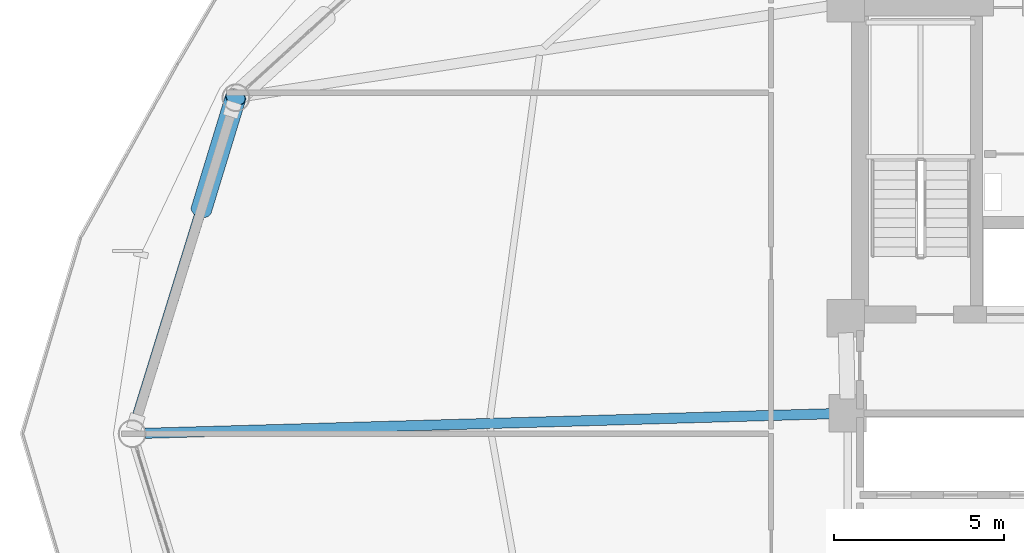
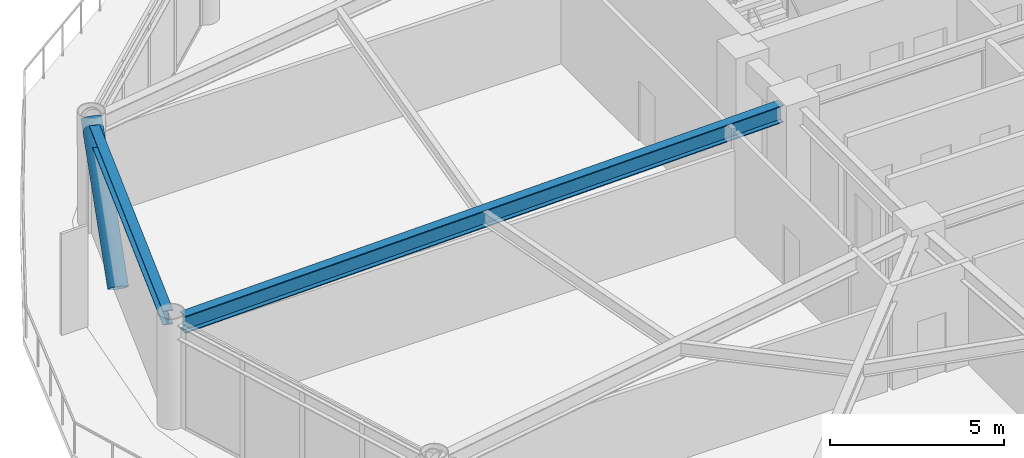
# One storey, part 8 of 23: 2 beams, 1 member.
"""IFC4 building model written with IfcOpenShell, lengths in metres."""

from ifc_helpers import new_model, si_unit, direction, frame, origin, origin_2d, place, context, subcontext, project, spatial, hollow_circle, i_section, extrude, material, material_profile, profile_set, type_object, element, save


model = new_model("IFC4")

# Units and contexts
model_context = context("Model", 3, precision=1e-05, world=origin(), true_north=direction((0.0, 1.0)))
body_context = subcontext(model_context, "Body", "Model", "MODEL_VIEW")
ifc_project = project(units=[si_unit("LENGTHUNIT", "METRE"), si_unit("AREAUNIT", "SQUARE_METRE"), si_unit("VOLUMEUNIT", "CUBIC_METRE"), si_unit("PLANEANGLEUNIT", "RADIAN"), si_unit("MASSUNIT", "GRAM", prefix="KILO")], contexts=[model_context])

# Site, building, storey
site_placement = place(None, origin())
site = spatial("IfcSite", under=ifc_project, at=site_placement, CompositionType="ELEMENT")
building_placement = place(site_placement, origin())
building = spatial("IfcBuilding", under=site, at=building_placement, Name="Varnakorn Sky Granary", CompositionType="ELEMENT")
storey_placement = place(building_placement, frame((0.0, 0.0, 83.699951171875)))
storey = spatial("IfcBuildingStorey", under=building, at=storey_placement, Name="L20", CompositionType="ELEMENT", Elevation=83.699951171875)

# Beams
ifc_material_1 = material(Name="Steel S355JR", Category="steel")
ifc_material_profile_1 = material_profile(ifc_material_1, i_section(OverallWidth=0.300048828125, OverallDepth=0.60009765625, WebThickness=0.015380859375, FlangeThickness=0.030029296875, at=origin_2d()), Name="HE 600 B")
ifc_profile_set_1 = profile_set([ifc_material_profile_1], Name="Steel S355JR")
beam_type_1 = type_object("IfcBeamType", Name="BM-RAD-Z2", PredefinedType="BEAM", material=ifc_profile_set_1)
beam_1_placement = place(storey_placement, frame((-2.769775390625, 0.587890625, 3.340087890625), z_axis=(-0.999592323056, -0.02855149185, 0.0), x_axis=(0.02855149185, -0.999592323056, 0.0)))
element("IfcBeam", 1, at=beam_1_placement, inside=storey, type_object=beam_type_1, Name="Radial Floor Girder RG07 L20", PredefinedType="BEAM", context=body_context, shape_type="SweptSolid", body=[
    extrude(i_section(OverallWidth=0.300048828125, OverallDepth=0.60009765625, WebThickness=0.015380859375, FlangeThickness=0.030029296875, at=origin_2d()), origin(), (0.0, 0.0, 1.0), 20.197265625),
])
ifc_material_profile_2 = material_profile(ifc_material_1, i_section(OverallWidth=0.300048828125, OverallDepth=0.5, WebThickness=0.014404296875, FlangeThickness=0.028076171875, at=origin_2d()), Name="HE 500 B")
ifc_profile_set_2 = profile_set([ifc_material_profile_2], Name="Steel S355JR")
beam_type_2 = type_object("IfcBeamType", Name="BM-SPD-Z2", PredefinedType="SPANDREL", material=ifc_profile_set_2)
beam_2_placement = place(storey_placement, frame((-20.421142578125, 9.4833984375, 3.39013671875), z_axis=(-0.295100569663, -0.955466197091, 0.0), x_axis=(0.955466197091, -0.295100569663, 0.0)))
element("IfcBeam", 2, at=beam_2_placement, inside=storey, type_object=beam_type_2, Name="Perimeter Spandrel Ring Beam RB06 L20", PredefinedType="SPANDREL", context=body_context, shape_type="SweptSolid", body=[
    extrude(i_section(OverallWidth=0.300048828125, OverallDepth=0.5, WebThickness=0.014404296875, FlangeThickness=0.028076171875, at=origin_2d()), origin(), (0.0, 0.0, 1.0), 9.533935546875),
])

# Member
ifc_material_2 = material(Name="Steel S460M", Category="steel")
ifc_material_profile_3 = material_profile(ifc_material_2, hollow_circle(Radius=0.304931640625, WallThickness=0.022216796875, at=origin_2d()), Name="CHS 610x22")
ifc_profile_set_3 = profile_set([ifc_material_profile_3], Name="Steel S460M")
member_type = type_object("IfcMemberType", Name="MB-DIAG-T1", PredefinedType="BRACE", material=ifc_profile_set_3)
member_placement = place(storey_placement, frame((-21.311279296875, 6.569091796875, 0.0), z_axis=(0.200822151392, 0.656682096893, 0.726938159082), x_axis=(-0.956282650096, 0.292443999981, 0.0)))
element("IfcMember", 3, at=member_placement, inside=storey, type_object=member_type, Name="Perimeter CHS Diagrid Brace DG06 L20", PredefinedType="BRACE", context=body_context, shape_type="SweptSolid", body=[
    extrude(hollow_circle(Radius=0.304931640625, WallThickness=0.022216796875, at=origin_2d()), origin(), (0.0, 0.0, 1.0), 5.007568359375),
])

save(model, "model.ifc")
